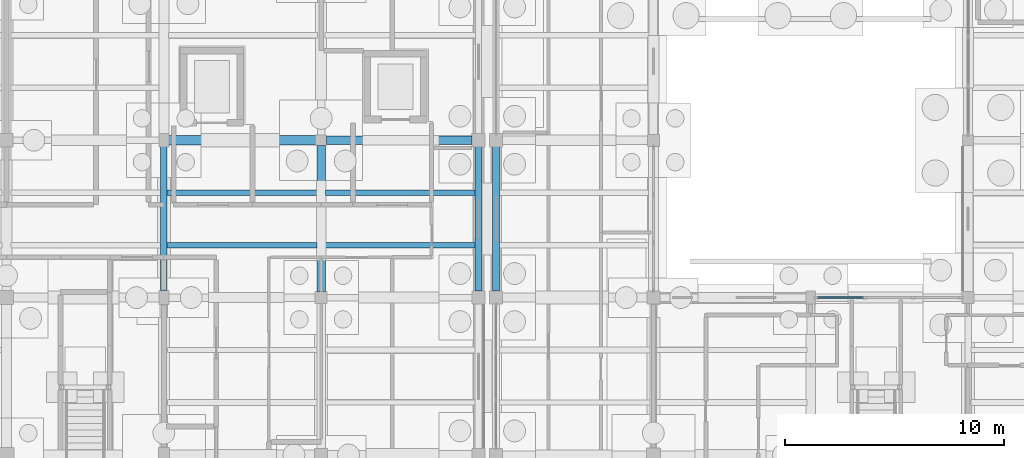
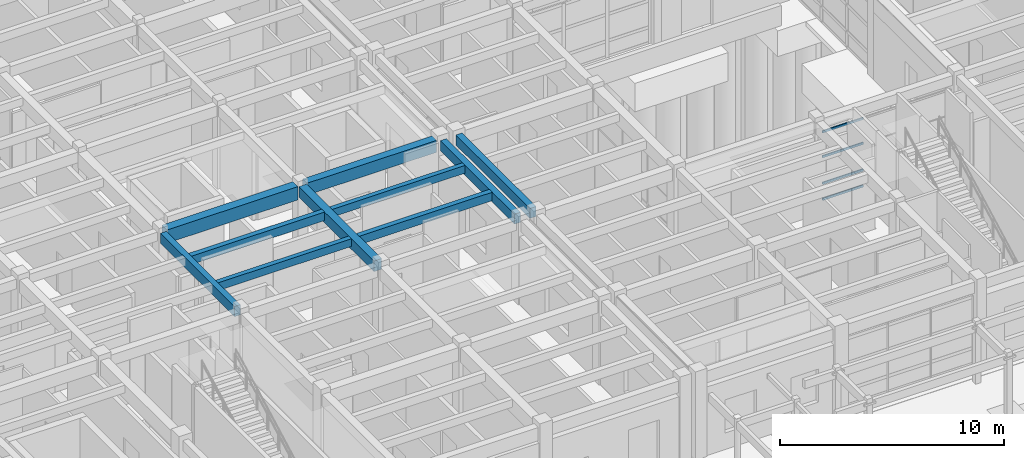
# One storey, part 59 of 143: 10 beams, 4 members, 1 element without a shape of its own.
"""IFC4 building model written with IfcOpenShell, lengths in metres."""

from ifc_helpers import new_model, si_unit, direction, frame, origin, origin_2d, place, context, subcontext, project, spatial, rectangle, extrude, material, material_profile, profile_set, type_object, element, aggregate, save


model = new_model("IFC4")

# Units and contexts
model_context = context("Model", 3, precision=1e-05, world=origin(), true_north=direction((0.0, 1.0)))
body_context = subcontext(model_context, "Body", "Model", "MODEL_VIEW")
ifc_project = project(units=[si_unit("LENGTHUNIT", "METRE"), si_unit("AREAUNIT", "SQUARE_METRE"), si_unit("VOLUMEUNIT", "CUBIC_METRE"), si_unit("PLANEANGLEUNIT", "RADIAN"), si_unit("MASSUNIT", "GRAM", prefix="KILO")], contexts=[model_context])

# Site, building, storey
site_placement = place(None, origin())
site = spatial("IfcSite", under=ifc_project, at=site_placement, CompositionType="ELEMENT")
building_placement = place(site_placement, origin())
building = spatial("IfcBuilding", under=site, at=building_placement, Name="Steenspoor Specialist Clinic", CompositionType="ELEMENT")
storey_placement = place(building_placement, origin())
storey = spatial("IfcBuildingStorey", under=building, at=storey_placement, Name="L00", CompositionType="ELEMENT", Elevation=0.0)

# Beams
ifc_material_1 = material(Name="Concrete C35/45", Category="concrete")
ifc_material_profile_1 = material_profile(ifc_material_1, rectangle(XDim=0.300048828125, YDim=0.550048828125, at=origin_2d()), Name="RC-BM-300X550")
ifc_profile_set_1 = profile_set([ifc_material_profile_1], Name="Concrete C35/45")
beam_type_1 = type_object("IfcBeamType", Name="BM-RC-300X550", PredefinedType="BEAM", material=ifc_profile_set_1)
beam_1_placement = place(storey_placement, frame((37.199951171875, 79.8701171875, 4.2451171875), z_axis=(0.0, 1.0, 0.0), x_axis=(-1.0, 0.0, 0.0)))
element("IfcBeam", 1, at=beam_1_placement, inside=storey, type_object=beam_type_1, Name="BM-V5-L00-Y1096", PredefinedType="BEAM", context=body_context, shape_type="SweptSolid", body=[
    extrude(rectangle(XDim=0.300048828125, YDim=0.550048828125, at=origin_2d()), origin(), (0.0, 0.0, 1.0), 6.5849609375),
])
ifc_material_profile_2 = material_profile(ifc_material_1, rectangle(XDim=0.39990234375, YDim=0.580078125, at=origin_2d()), Name="RC-BM-400X580")
ifc_profile_set_2 = profile_set([ifc_material_profile_2], Name="Concrete C35/45")
beam_type_2 = type_object("IfcBeamType", Name="BM-RC-400X580", PredefinedType="BEAM", material=ifc_profile_set_2)
beam_2_placement = place(storey_placement, frame((44.39990234375, 79.820068359375, 4.22998046875), z_axis=(0.0, 1.0, 0.0), x_axis=(-1.0, 0.0, 0.0)))
element("IfcBeam", 2, at=beam_2_placement, inside=storey, type_object=beam_type_2, Name="BM-V5-L00-Y1102", PredefinedType="BEAM", context=body_context, shape_type="SweptSolid", body=[
    extrude(rectangle(XDim=0.39990234375, YDim=0.580078125, at=origin_2d()), origin(), (0.0, 0.0, 1.0), 6.684814453125),
])
ifc_material_profile_3 = material_profile(ifc_material_1, rectangle(XDim=0.39990234375, YDim=0.64990234375, at=origin_2d()), Name="RC-BM-400X650")
ifc_profile_set_3 = profile_set([ifc_material_profile_3], Name="Concrete C35/45")
beam_type_3 = type_object("IfcBeamType", Name="BM-RC-400X650", PredefinedType="BEAM", material=ifc_profile_set_3)
beam_3_placement = place(storey_placement, frame((44.64501953125, 86.75, 4.195068359375), z_axis=(1.0, 0.0, 0.0), x_axis=(0.0, 1.0, 0.0)))
element("IfcBeam", 3, at=beam_3_placement, inside=storey, type_object=beam_type_3, Name="BM-V5-L00-X1069", PredefinedType="BEAM", context=body_context, shape_type="SweptSolid", body=[
    extrude(rectangle(XDim=0.39990234375, YDim=0.64990234375, at=origin_2d()), origin(), (0.0, 0.0, 1.0), 6.659912109375),
])
ifc_material_profile_4 = material_profile(ifc_material_1, rectangle(XDim=0.449951171875, YDim=0.719970703125, at=origin_2d()), Name="RC-BM-450X720")
ifc_profile_set_4 = profile_set([ifc_material_profile_4], Name="Concrete C35/45")
beam_type_4 = type_object("IfcBeamType", Name="BM-RC-450X720", PredefinedType="BEAM", material=ifc_profile_set_4)
beam_4_placement = place(storey_placement, frame((37.419921875, 86.75, 4.159912109375), z_axis=(1.0, 0.0, 0.0), x_axis=(0.0, 1.0, 0.0)))
element("IfcBeam", 4, at=beam_4_placement, inside=storey, type_object=beam_type_4, Name="BM-V5-L00-X1068", PredefinedType="BEAM", context=body_context, shape_type="SweptSolid", body=[
    extrude(rectangle(XDim=0.449951171875, YDim=0.719970703125, at=origin_2d()), origin(), (0.0, 0.0, 1.0), 6.735107421875),
])

# Curtain wall, members
ifc_material_2 = material(Name="Thermally broken aluminium and low-emissivity glass", Category="aluminium")
curtain_wall_type = type_object("IfcCurtainWallType", Name="CW-L00-650X415", PredefinedType="USERDEFINED", material=ifc_material_2)
curtain_wall_placement = place(storey_placement, origin())
curtain_wall = element("IfcCurtainWall", 5, at=curtain_wall_placement, inside=storey, type_object=curtain_wall_type, Name="Unitised Curtain Wall CW-V4-L00-053", ObjectType="UNITISED GLAZING", PredefinedType="USERDEFINED")
ifc_material_3 = material(Name="Thermally broken aluminium 6063-T6", Category="aluminium")
ifc_material_profile_5 = material_profile(ifc_material_3, rectangle(XDim=0.06005859375, YDim=0.114990234375, at=origin_2d()), Name="CWT-60X115")
ifc_profile_set_5 = profile_set([ifc_material_profile_5], Name="Thermally broken aluminium 6063-T6")
member_type = type_object("IfcMemberType", Name="CW-TRAN-60X115", PredefinedType="USERDEFINED", material=ifc_profile_set_5)
member_1_placement = place(storey_placement, frame((67.114990234375, 79.550048828125, 0.030029296875), z_axis=(1.0, 0.0, 0.0), x_axis=(0.0, 1.0, 0.0)))
member_1 = element("IfcMember", 6, at=member_1_placement, type_object=member_type, Name="CW-05 transom 1.1", ObjectType="TRANSOM", PredefinedType="USERDEFINED", context=body_context, shape_type="SweptSolid", body=[
    extrude(rectangle(XDim=0.06005859375, YDim=0.114990234375, at=origin_2d()), origin(), (0.0, 0.0, 1.0), 2.098388671875),
])
member_2_placement = place(storey_placement, frame((67.114990234375, 79.550048828125, 0.89990234375), z_axis=(1.0, 0.0, 0.0), x_axis=(0.0, 1.0, 0.0)))
member_2 = element("IfcMember", 7, at=member_2_placement, type_object=member_type, Name="CW-05 transom 1.2", ObjectType="TRANSOM", PredefinedType="USERDEFINED", context=body_context, shape_type="SweptSolid", body=[
    extrude(rectangle(XDim=0.06005859375, YDim=0.114990234375, at=origin_2d()), origin(), (0.0, 0.0, 1.0), 2.098388671875),
])
member_3_placement = place(storey_placement, frame((67.114990234375, 79.550048828125, 2.35009765625), z_axis=(1.0, 0.0, 0.0), x_axis=(0.0, 1.0, 0.0)))
member_3 = element("IfcMember", 8, at=member_3_placement, type_object=member_type, Name="CW-05 transom 1.3", ObjectType="TRANSOM", PredefinedType="USERDEFINED", context=body_context, shape_type="SweptSolid", body=[
    extrude(rectangle(XDim=0.06005859375, YDim=0.114990234375, at=origin_2d()), origin(), (0.0, 0.0, 1.0), 2.098388671875),
])
member_4_placement = place(storey_placement, frame((67.114990234375, 79.550048828125, 3.699951171875), z_axis=(1.0, 0.0, 0.0), x_axis=(0.0, 1.0, 0.0)))
member_4 = element("IfcMember", 9, at=member_4_placement, type_object=member_type, Name="CW-05 transom 1.4", ObjectType="TRANSOM", PredefinedType="USERDEFINED", context=body_context, shape_type="SweptSolid", body=[
    extrude(rectangle(XDim=0.06005859375, YDim=0.114990234375, at=origin_2d()), origin(), (0.0, 0.0, 1.0), 2.098388671875),
])
aggregate(curtain_wall, [member_1, member_2, member_3, member_4])

# Beams
ifc_material_profile_6 = material_profile(ifc_material_1, rectangle(XDim=0.239990234375, YDim=0.419921875, at=origin_2d()), Name="RC-JT-240X420")
ifc_profile_set_6 = profile_set([ifc_material_profile_6], Name="Concrete C35/45")
beam_type_5 = type_object("IfcBeamType", Name="JT-RC-240X420", PredefinedType="JOIST", material=ifc_profile_set_6)
beam_5_placement = place(storey_placement, frame((37.344970703125, 81.949951171875, 4.31005859375), z_axis=(1.0, 0.0, 0.0), x_axis=(0.0, 1.0, 0.0)))
element("IfcBeam", 10, at=beam_5_placement, inside=storey, type_object=beam_type_5, Name="JT-V5-L00-1136", PredefinedType="JOIST", context=body_context, shape_type="SweptSolid", body=[
    extrude(rectangle(XDim=0.239990234375, YDim=0.419921875, at=origin_2d()), origin(), (0.0, 0.0, 1.0), 6.860107421875),
])
beam_6_placement = place(storey_placement, frame((44.594970703125, 84.35009765625, 4.31005859375), z_axis=(1.0, 0.0, 0.0), x_axis=(0.0, 1.0, 0.0)))
element("IfcBeam", 11, at=beam_6_placement, inside=storey, type_object=beam_type_5, Name="JT-V5-L00-1148", PredefinedType="JOIST", context=body_context, shape_type="SweptSolid", body=[
    extrude(rectangle(XDim=0.239990234375, YDim=0.419921875, at=origin_2d()), origin(), (0.0, 0.0, 1.0), 6.85009765625),
])
ifc_material_profile_7 = material_profile(ifc_material_1, rectangle(XDim=0.260009765625, YDim=0.4599609375, at=origin_2d()), Name="RC-JT-260X460")
ifc_profile_set_7 = profile_set([ifc_material_profile_7], Name="Concrete C35/45")
beam_type_6 = type_object("IfcBeamType", Name="JT-RC-260X460", PredefinedType="JOIST", material=ifc_profile_set_7)
beam_7_placement = place(storey_placement, frame((37.344970703125, 84.35009765625, 4.2900390625), z_axis=(1.0, 0.0, 0.0), x_axis=(0.0, 1.0, 0.0)))
element("IfcBeam", 12, at=beam_7_placement, inside=storey, type_object=beam_type_6, Name="JT-V5-L00-1137", PredefinedType="JOIST", context=body_context, shape_type="SweptSolid", body=[
    extrude(rectangle(XDim=0.260009765625, YDim=0.4599609375, at=origin_2d()), origin(), (0.0, 0.0, 1.0), 6.860107421875),
])
beam_8_placement = place(storey_placement, frame((44.594970703125, 81.949951171875, 4.2900390625), z_axis=(1.0, 0.0, 0.0), x_axis=(0.0, 1.0, 0.0)))
element("IfcBeam", 13, at=beam_8_placement, inside=storey, type_object=beam_type_6, Name="JT-V5-L00-1147", PredefinedType="JOIST", context=body_context, shape_type="SweptSolid", body=[
    extrude(rectangle(XDim=0.260009765625, YDim=0.4599609375, at=origin_2d()), origin(), (0.0, 0.0, 1.0), 6.85009765625),
])
ifc_material_profile_8 = material_profile(ifc_material_1, rectangle(XDim=0.320068359375, YDim=0.5400390625, at=origin_2d()), Name="RC-SP-320X540")
ifc_profile_set_8 = profile_set([ifc_material_profile_8], Name="Concrete C35/45")
beam_type_7 = type_object("IfcBeamType", Name="SP-RC-320X540", PredefinedType="SPANDREL", material=ifc_profile_set_8)
for number, where, z_axis, x_axis, name in (
    (14, (52.39990234375, 79.844970703125, 4.280029296875), (0.0, 1.0, 0.0), (-1.0, 0.0, 0.0), "BM-V4-L00-Y0343"),
    (15, (51.60009765625, 79.844970703125, 4.25), (0.0, 1.0, 0.0), (-1.0, 0.0, 0.0), "BM-V5-L00-Y1108"),
):
    element("IfcBeam", number, at=place(storey_placement, frame(where, z_axis=z_axis, x_axis=x_axis)), inside=storey, type_object=beam_type_7, Name=name, PredefinedType="SPANDREL", context=body_context, shape_type="SweptSolid", body=[
        extrude(rectangle(XDim=0.320068359375, YDim=0.5400390625, at=origin_2d()), origin(), (0.0, 0.0, 1.0), 6.610107421875),
    ])

save(model, "model.ifc")
